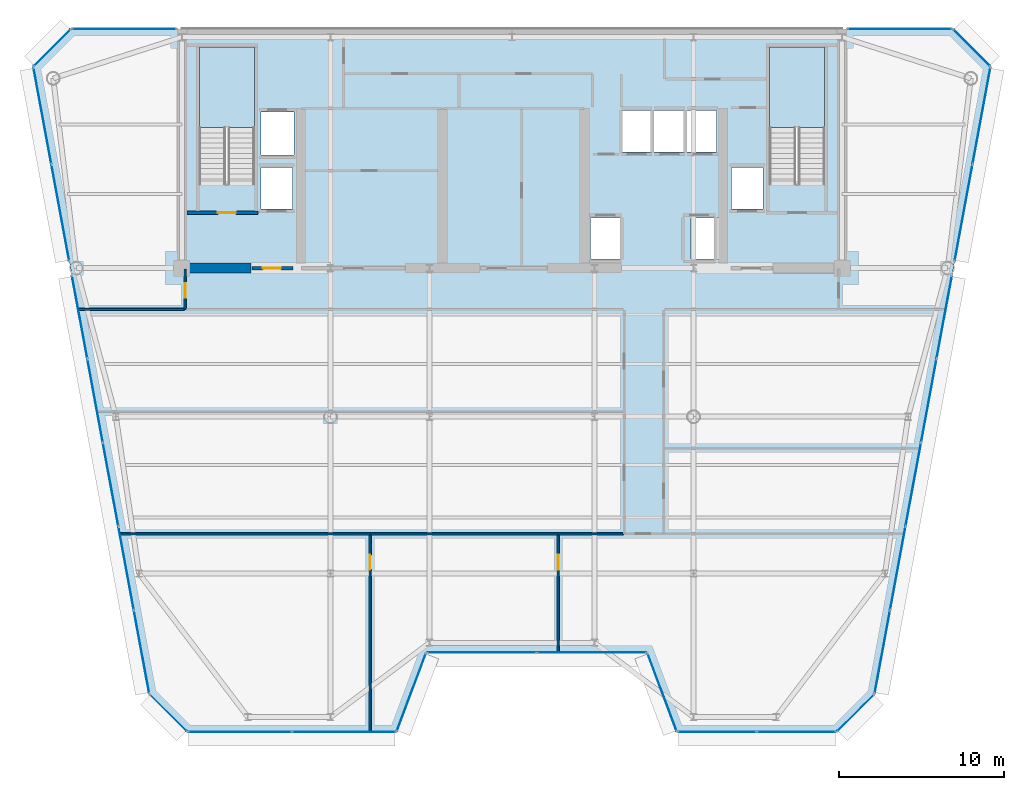
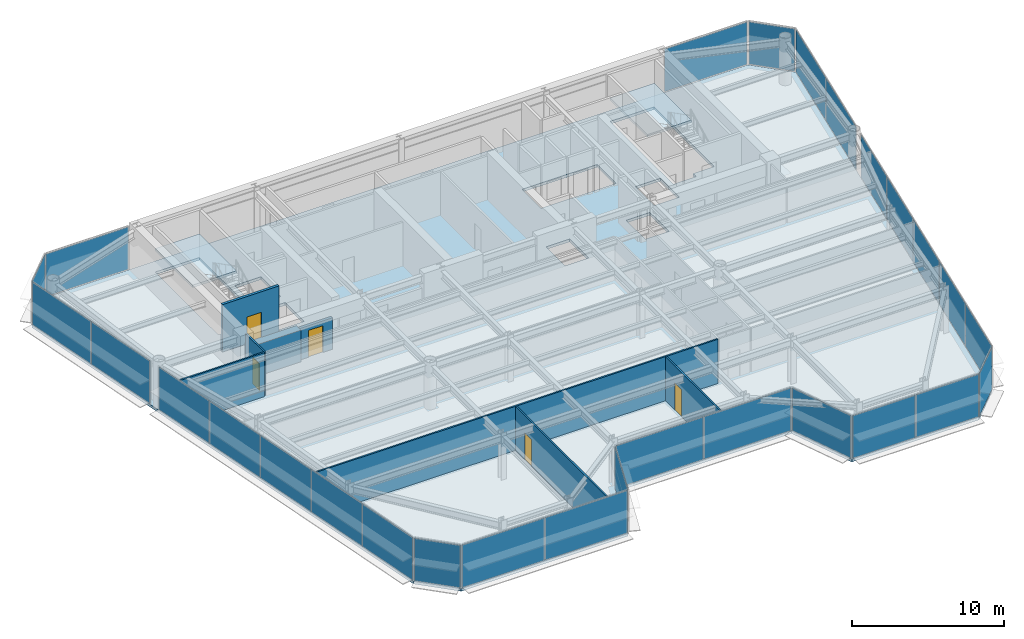
# One storey, part 10 of 17: 28 plates, 8 walls, 5 doors, 3 slabs, 5 openings, 17 elements without a shape of their own.
"""IFC4 building model written with IfcOpenShell, lengths in metres."""

from ifc_helpers import new_model, si_unit, direction, frame, frame_2d, origin, origin_2d, place, context, subcontext, project, spatial, polyline, rectangle, outline, extrude, source, transform, mapped, material, layer, layer_set, type_object, element, fill, aggregate, save


model = new_model("IFC4")

# Units and contexts
model_context = context("Model", 3, precision=1e-05, world=origin(), true_north=direction((0.0, 1.0)))
body_context = subcontext(model_context, "Body", "Model", "MODEL_VIEW")
ifc_project = project(units=[si_unit("LENGTHUNIT", "METRE"), si_unit("AREAUNIT", "SQUARE_METRE"), si_unit("VOLUMEUNIT", "CUBIC_METRE"), si_unit("PLANEANGLEUNIT", "RADIAN"), si_unit("MASSUNIT", "GRAM", prefix="KILO")], contexts=[model_context])

# Site, building, storey
site_placement = place(None, origin())
site = spatial("IfcSite", under=ifc_project, at=site_placement, CompositionType="ELEMENT")
building_placement = place(site_placement, origin())
building = spatial("IfcBuilding", under=site, at=building_placement, Name="Vaeldorn Concourse Tower", CompositionType="ELEMENT")
storey_placement = place(building_placement, frame((0.0, 0.0, 214.60009765625)))
storey = spatial("IfcBuildingStorey", under=building, at=storey_placement, Name="L55", CompositionType="ELEMENT", Elevation=214.60009765625)

# Stair, slab
ifc_material_1 = material(Name="Precast concrete C40/50", Category="concrete")
stair_type = type_object("IfcStairType", Name="STR-DOG-24x158", PredefinedType="HALF_TURN_STAIR", material=ifc_material_1)
stair_1_placement = place(storey_placement, origin())
stair_1 = element("IfcStair", 1, at=stair_1_placement, inside=storey, type_object=stair_type, Name="L55 West Core Exit Stair ST-1", PredefinedType="HALF_TURN_STAIR")
ifc_material_2 = material(Name="Concrete C40/50", Category="concrete")
ifc_layer_1 = layer(ifc_material_2, 0.199951171875)
ifc_layer_set_1 = layer_set([ifc_layer_1], Name="Concrete C40/50")
slab_type_1 = type_object("IfcSlabType", Name="SL-STAIR-LANDING", PredefinedType="LANDING", material=ifc_layer_set_1)
slab_1_placement = place(storey_placement, frame((0.0, 0.0, 1.699951171875)))
slab_1 = element("IfcSlab", 2, at=slab_1_placement, type_object=slab_type_1, Name="ST-1 landing 1", PredefinedType="LANDING", context=body_context, shape_type="SweptSolid", body=[
    extrude(outline(polyline([(18.39990234375, 45.010009765625), (18.39990234375, 49.89990234375), (15.050048828125, 49.89990234375), (15.050048828125, 45.010009765625), (18.39990234375, 45.010009765625)])), origin(), (0.0, 0.0, 1.0), 0.199951171875),
])
aggregate(stair_1, [slab_1])

stair_2_placement = place(storey_placement, origin())
stair_2 = element("IfcStair", 3, at=stair_2_placement, inside=storey, type_object=stair_type, Name="L55 East Core Exit Stair ST-2", PredefinedType="HALF_TURN_STAIR")
slab_2_placement = place(storey_placement, frame((0.0, 0.0, 1.699951171875)))
slab_2 = element("IfcSlab", 4, at=slab_2_placement, type_object=slab_type_1, Name="ST-2 landing 1", PredefinedType="LANDING", context=body_context, shape_type="SweptSolid", body=[
    extrude(outline(polyline([(52.949951171875, 45.010009765625), (52.949951171875, 49.89990234375), (49.60009765625, 49.89990234375), (49.60009765625, 45.010009765625), (52.949951171875, 45.010009765625)])), origin(), (0.0, 0.0, 1.0), 0.199951171875),
])
aggregate(stair_2, [slab_2])

# Slab
ifc_layer_2 = layer(ifc_material_2, 0.219970703125)
ifc_layer_set_2 = layer_set([ifc_layer_2], Name="Concrete C40/50")
slab_type_2 = type_object("IfcSlabType", Name="SL-TYP-220", PredefinedType="FLOOR", material=ifc_layer_set_2)
slab_3_placement = place(storey_placement, frame((0.0, 0.0, -0.22021484375)))
element("IfcSlab", 5, at=slab_3_placement, inside=storey, type_object=slab_type_2, Name="Structural Floor Slab L55", PredefinedType="FLOOR", context=body_context, shape_type="SweptSolid", body=[
    extrude(outline(polyline([(14.3291015625, 8.39990234375), (27.0, 8.39990234375), (28.800048828125, 13.199951171875), (42.199951171875, 13.199951171875), (44.0, 8.39990234375), (53.6708984375, 8.39990234375), (55.970947265625, 10.699951171875), (63.0, 48.699951171875), (60.699951171875, 51.0), (7.300048828125, 51.0), (5.0, 48.699951171875), (12.029052734375, 10.699951171875), (14.3291015625, 8.39990234375)]), holes=[polyline([(18.39990234375, 42.0), (18.39990234375, 49.89990234375), (15.050048828125, 49.89990234375), (15.050048828125, 41.60009765625), (16.800048828125, 41.60009765625), (16.800048828125, 42.0), (18.39990234375, 42.0)]), polyline([(52.949951171875, 42.0), (52.949951171875, 49.89990234375), (49.60009765625, 49.89990234375), (49.60009765625, 41.60009765625), (51.35009765625, 41.60009765625), (51.35009765625, 42.0), (52.949951171875, 42.0)]), polyline([(38.75, 37.050048828125), (40.550048828125, 37.050048828125), (40.550048828125, 39.550048828125), (38.75, 39.550048828125), (38.75, 37.050048828125)]), polyline([(44.85009765625, 37.050048828125), (46.64990234375, 37.050048828125), (46.64990234375, 39.550048828125), (44.85009765625, 39.550048828125), (44.85009765625, 37.050048828125)]), polyline([(40.699951171875, 43.550048828125), (46.39990234375, 43.550048828125), (46.39990234375, 46.050048828125), (40.699951171875, 46.050048828125), (40.699951171875, 43.550048828125)]), polyline([(18.800048828125, 43.35009765625), (20.800048828125, 43.35009765625), (20.800048828125, 45.949951171875), (18.800048828125, 45.949951171875), (18.800048828125, 43.35009765625)]), polyline([(18.800048828125, 40.10009765625), (20.699951171875, 40.10009765625), (20.699951171875, 42.60009765625), (18.800048828125, 42.60009765625), (18.800048828125, 40.10009765625)]), polyline([(47.300048828125, 40.10009765625), (49.199951171875, 40.10009765625), (49.199951171875, 42.60009765625), (47.300048828125, 42.60009765625), (47.300048828125, 40.10009765625)])]), origin(), (0.0, 0.0, 1.0), 0.22021484375),
])

# Curtain wall, plates
ifc_material_3 = material(Name="Anodised Bronze Aluminium", Category="aluminium")
ifc_layer_3 = layer(ifc_material_3, 0.18994140625)
ifc_layer_set_3 = layer_set([ifc_layer_3], Name="Anodised Bronze Aluminium")
curtain_wall_type = type_object("IfcCurtainWallType", Name="CW-SYS-03", PredefinedType="NOTDEFINED", material=ifc_layer_set_3)
curtain_wall_1_placement = place(storey_placement, origin())
curtain_wall_1 = element("IfcCurtainWall", 6, at=curtain_wall_1_placement, inside=storey, type_object=curtain_wall_type, Name="Unitised Curtain Wall CW-L55-E01-1", PredefinedType="NOTDEFINED")
ifc_material_4 = material(Name="Bronze Tinted Low-E Insulated Glass", Category="glass")
ifc_layer_4 = layer(ifc_material_4, 0.031982421875)
ifc_layer_set_4 = layer_set([ifc_layer_4], Name="Bronze Tinted Low-E Insulated Glass")
plate_type = type_object("IfcPlateType", Name="CWP-VISION-32", PredefinedType="CURTAIN_PANEL", material=ifc_layer_set_4)
shared_shape_1 = source(origin(), body_context, "Body", "SweptSolid", [
    extrude(rectangle(XDim=6.238037109375, YDim=0.031982421875, at=origin_2d()), origin(), (0.0, 0.0, 1.0), 3.409912109375),
])
plate_1_placement = place(storey_placement, frame((17.512939453125, 8.39990234375, 0.06494140625), z_axis=(0.0, 0.0, 1.0), x_axis=(1.0, 0.0, 0.0)))
plate_1 = element("IfcPlate", 7, at=plate_1_placement, type_object=plate_type, Name="CW-03 panel 1.1", PredefinedType="CURTAIN_PANEL", context=body_context, shape_type="MappedRepresentation", body=[
    mapped(shared_shape_1, transform((0.0, 0.0, 0.0), scale=1.0)),
])
plate_2_placement = place(storey_placement, frame((23.81591796875, 8.39990234375, 0.06494140625), z_axis=(0.0, 0.0, 1.0), x_axis=(1.0, 0.0, 0.0)))
plate_2 = element("IfcPlate", 8, at=plate_2_placement, type_object=plate_type, Name="CW-03 panel 2.1", PredefinedType="CURTAIN_PANEL", context=body_context, shape_type="MappedRepresentation", body=[
    mapped(shared_shape_1, transform((0.0, 0.0, 0.0), scale=1.0)),
])
aggregate(curtain_wall_1, [plate_1, plate_2])

# Curtain wall, plate
curtain_wall_2_placement = place(storey_placement, origin())
curtain_wall_2 = element("IfcCurtainWall", 9, at=curtain_wall_2_placement, inside=storey, type_object=curtain_wall_type, Name="Unitised Curtain Wall CW-L55-E02-1", PredefinedType="NOTDEFINED")
shared_shape_2 = source(origin(), body_context, "Body", "SweptSolid", [
    extrude(rectangle(XDim=4.996337890625, YDim=0.031982421875, at=origin_2d()), origin(), (0.0, 0.0, 1.0), 3.409912109375),
])
plate_3_placement = place(storey_placement, frame((27.89990234375, 10.800048828125, 0.06494140625), z_axis=(0.0, 0.0, 1.0), x_axis=(0.351123441595, 0.936329177566, 0.0)))
plate_3 = element("IfcPlate", 10, at=plate_3_placement, type_object=plate_type, Name="CW-03 panel 1.1", PredefinedType="CURTAIN_PANEL", context=body_context, shape_type="MappedRepresentation", body=[
    mapped(shared_shape_2, transform((0.0, 0.0, 0.0), scale=1.0)),
])
aggregate(curtain_wall_2, [plate_3])

curtain_wall_3_placement = place(storey_placement, origin())
curtain_wall_3 = element("IfcCurtainWall", 11, at=curtain_wall_3_placement, inside=storey, type_object=curtain_wall_type, Name="Unitised Curtain Wall CW-L55-E04-1", PredefinedType="NOTDEFINED")
plate_4_placement = place(storey_placement, frame((43.10009765625, 10.800048828125, 0.06494140625), z_axis=(0.0, 0.0, 1.0), x_axis=(0.351123441595, -0.936329177566, 0.0)))
plate_4 = element("IfcPlate", 12, at=plate_4_placement, type_object=plate_type, Name="CW-03 panel 1.1", PredefinedType="CURTAIN_PANEL", context=body_context, shape_type="MappedRepresentation", body=[
    mapped(shared_shape_2, transform((0.0, 0.0, 0.0), scale=1.0)),
])
aggregate(curtain_wall_3, [plate_4])

# Curtain wall, plates
curtain_wall_4_placement = place(storey_placement, origin())
curtain_wall_4 = element("IfcCurtainWall", 13, at=curtain_wall_4_placement, inside=storey, type_object=curtain_wall_type, Name="Unitised Curtain Wall CW-L55-E03-1", PredefinedType="NOTDEFINED")
shared_shape_3 = source(origin(), body_context, "Body", "SweptSolid", [
    extrude(rectangle(XDim=6.6025390625, YDim=0.031982421875, at=origin_2d()), origin(), (0.0, 0.0, 1.0), 3.409912109375),
])
plate_5_placement = place(storey_placement, frame((32.166259765625, 13.199951171875, 0.06494140625), z_axis=(0.0, 0.0, 1.0), x_axis=(1.0, 0.0, 0.0)))
plate_5 = element("IfcPlate", 14, at=plate_5_placement, type_object=plate_type, Name="CW-03 panel 1.1", PredefinedType="CURTAIN_PANEL", context=body_context, shape_type="MappedRepresentation", body=[
    mapped(shared_shape_3, transform((0.0, 0.0, 0.0), scale=1.0)),
])
plate_6_placement = place(storey_placement, frame((38.833740234375, 13.199951171875, 0.06494140625), z_axis=(0.0, 0.0, 1.0), x_axis=(1.0, 0.0, 0.0)))
plate_6 = element("IfcPlate", 15, at=plate_6_placement, type_object=plate_type, Name="CW-03 panel 2.1", PredefinedType="CURTAIN_PANEL", context=body_context, shape_type="MappedRepresentation", body=[
    mapped(shared_shape_3, transform((0.0, 0.0, 0.0), scale=1.0)),
])
aggregate(curtain_wall_4, [plate_5, plate_6])

curtain_wall_5_placement = place(storey_placement, origin())
curtain_wall_5 = element("IfcCurtainWall", 16, at=curtain_wall_5_placement, inside=storey, type_object=curtain_wall_type, Name="Unitised Curtain Wall CW-L55-E05-1", PredefinedType="NOTDEFINED")
shared_shape_4 = source(origin(), body_context, "Body", "SweptSolid", [
    extrude(rectangle(XDim=4.738037109375, YDim=0.031982421875, at=origin_2d()), origin(), (0.0, 0.0, 1.0), 3.409912109375),
])
plate_7_placement = place(storey_placement, frame((46.43408203125, 8.39990234375, 0.06494140625), z_axis=(0.0, 0.0, 1.0), x_axis=(1.0, 0.0, 0.0)))
plate_7 = element("IfcPlate", 17, at=plate_7_placement, type_object=plate_type, Name="CW-03 panel 1.1", PredefinedType="CURTAIN_PANEL", context=body_context, shape_type="MappedRepresentation", body=[
    mapped(shared_shape_4, transform((0.0, 0.0, 0.0), scale=1.0)),
])
plate_8_placement = place(storey_placement, frame((51.237060546875, 8.39990234375, 0.06494140625), z_axis=(0.0, 0.0, 1.0), x_axis=(1.0, 0.0, 0.0)))
plate_8 = element("IfcPlate", 18, at=plate_8_placement, type_object=plate_type, Name="CW-03 panel 2.1", PredefinedType="CURTAIN_PANEL", context=body_context, shape_type="MappedRepresentation", body=[
    mapped(shared_shape_4, transform((0.0, 0.0, 0.0), scale=1.0)),
])
aggregate(curtain_wall_5, [plate_7, plate_8])

# Curtain wall, plate
curtain_wall_6_placement = place(storey_placement, origin())
curtain_wall_6 = element("IfcCurtainWall", 19, at=curtain_wall_6_placement, inside=storey, type_object=curtain_wall_type, Name="Unitised Curtain Wall CW-L55-E06-1", PredefinedType="NOTDEFINED")
shared_shape_5 = source(origin(), body_context, "Body", "SweptSolid", [
    extrude(rectangle(XDim=3.122802734375, YDim=0.031982421875, at=origin_2d()), origin(), (0.0, 0.0, 1.0), 3.409912109375),
])
plate_9_placement = place(storey_placement, frame((54.821044921875, 9.550048828125, 0.06494140625), z_axis=(0.0, 0.0, 1.0), x_axis=(0.707106781187, 0.707106781187, 0.0)))
plate_9 = element("IfcPlate", 20, at=plate_9_placement, type_object=plate_type, Name="CW-03 panel 1.1", PredefinedType="CURTAIN_PANEL", context=body_context, shape_type="MappedRepresentation", body=[
    mapped(shared_shape_5, transform((0.0, 0.0, 0.0), scale=1.0)),
])
aggregate(curtain_wall_6, [plate_9])

curtain_wall_7_placement = place(storey_placement, origin())
curtain_wall_7 = element("IfcCurtainWall", 21, at=curtain_wall_7_placement, inside=storey, type_object=curtain_wall_type, Name="Unitised Curtain Wall CW-L55-E08-1", PredefinedType="NOTDEFINED")
plate_10_placement = place(storey_placement, frame((61.85009765625, 49.85009765625, 0.06494140625), z_axis=(0.0, 0.0, 1.0), x_axis=(-0.707106781187, 0.707106781187, 0.0)))
plate_10 = element("IfcPlate", 22, at=plate_10_placement, type_object=plate_type, Name="CW-03 panel 1.1", PredefinedType="CURTAIN_PANEL", context=body_context, shape_type="MappedRepresentation", body=[
    mapped(shared_shape_5, transform((0.0, 0.0, 0.0), scale=1.0)),
])
aggregate(curtain_wall_7, [plate_10])

curtain_wall_8_placement = place(storey_placement, origin())
curtain_wall_8 = element("IfcCurtainWall", 23, at=curtain_wall_8_placement, inside=storey, type_object=curtain_wall_type, Name="Unitised Curtain Wall CW-L55-E10-1", PredefinedType="NOTDEFINED")
plate_11_placement = place(storey_placement, frame((6.14990234375, 49.85009765625, 0.06494140625), z_axis=(0.0, 0.0, 1.0), x_axis=(-0.707106781187, -0.707106781187, 0.0)))
plate_11 = element("IfcPlate", 24, at=plate_11_placement, type_object=plate_type, Name="CW-03 panel 1.1", PredefinedType="CURTAIN_PANEL", context=body_context, shape_type="MappedRepresentation", body=[
    mapped(shared_shape_5, transform((0.0, 0.0, 0.0), scale=1.0)),
])
aggregate(curtain_wall_8, [plate_11])

curtain_wall_9_placement = place(storey_placement, origin())
curtain_wall_9 = element("IfcCurtainWall", 25, at=curtain_wall_9_placement, inside=storey, type_object=curtain_wall_type, Name="Unitised Curtain Wall CW-L55-E12-1", PredefinedType="NOTDEFINED")
plate_12_placement = place(storey_placement, frame((13.178955078125, 9.550048828125, 0.06494140625), z_axis=(0.0, 0.0, 1.0), x_axis=(0.707106781187, -0.707106781187, 0.0)))
plate_12 = element("IfcPlate", 26, at=plate_12_placement, type_object=plate_type, Name="CW-03 panel 1.1", PredefinedType="CURTAIN_PANEL", context=body_context, shape_type="MappedRepresentation", body=[
    mapped(shared_shape_5, transform((0.0, 0.0, 0.0), scale=1.0)),
])
aggregate(curtain_wall_9, [plate_12])

# Curtain wall, plates
curtain_wall_10_placement = place(storey_placement, origin())
curtain_wall_10 = element("IfcCurtainWall", 27, at=curtain_wall_10_placement, inside=storey, type_object=curtain_wall_type, Name="Unitised Curtain Wall CW-L55-E07-1", PredefinedType="NOTDEFINED")
shared_shape_6 = source(origin(), body_context, "Body", "SweptSolid", [
    extrude(rectangle(XDim=5.0654296875, YDim=0.031982421875, at=origin_2d()), origin(), (0.0, 0.0, 1.0), 3.409912109375),
])
plate_13_placement = place(storey_placement, frame((56.443603515625, 13.25439453125, 0.06494140625), z_axis=(0.0, 0.0, 1.0), x_axis=(0.181888946432, 0.983319079021, 0.0)))
plate_13 = element("IfcPlate", 28, at=plate_13_placement, type_object=plate_type, Name="CW-03 panel 1.1", PredefinedType="CURTAIN_PANEL", context=body_context, shape_type="MappedRepresentation", body=[
    mapped(shared_shape_6, transform((0.0, 0.0, 0.0), scale=1.0)),
])
plate_14_placement = place(storey_placement, frame((60.19384765625, 33.529052734375, 0.06494140625), z_axis=(0.0, 0.0, 1.0), x_axis=(0.181888946432, 0.983319079021, 0.0)))
plate_14 = element("IfcPlate", 29, at=plate_14_placement, type_object=plate_type, Name="CW-03 panel 5.1", PredefinedType="CURTAIN_PANEL", context=body_context, shape_type="MappedRepresentation", body=[
    mapped(shared_shape_6, transform((0.0, 0.0, 0.0), scale=1.0)),
])

curtain_wall_11_placement = place(storey_placement, origin())
curtain_wall_11 = element("IfcCurtainWall", 30, at=curtain_wall_11_placement, inside=storey, type_object=curtain_wall_type, Name="Unitised Curtain Wall CW-L55-E11-2", PredefinedType="NOTDEFINED")
plate_15_placement = place(storey_placement, frame((7.80615234375, 33.529052734375, 0.06494140625), z_axis=(0.0, 0.0, 1.0), x_axis=(0.181888946432, -0.983319079021, 0.0)))
plate_15 = element("IfcPlate", 31, at=plate_15_placement, type_object=plate_type, Name="CW-03 panel 1.1", PredefinedType="CURTAIN_PANEL", context=body_context, shape_type="MappedRepresentation", body=[
    mapped(shared_shape_6, transform((0.0, 0.0, 0.0), scale=1.0)),
])
plate_16_placement = place(storey_placement, frame((11.556396484375, 13.25439453125, 0.06494140625), z_axis=(0.0, 0.0, 1.0), x_axis=(0.181888946432, -0.983319079021, 0.0)))
plate_16 = element("IfcPlate", 32, at=plate_16_placement, type_object=plate_type, Name="CW-03 panel 5.1", PredefinedType="CURTAIN_PANEL", context=body_context, shape_type="MappedRepresentation", body=[
    mapped(shared_shape_6, transform((0.0, 0.0, 0.0), scale=1.0)),
])

# Plate
shared_shape_7 = source(origin(), body_context, "Body", "SweptSolid", [
    extrude(rectangle(XDim=5.097900390625, YDim=0.031982421875, at=origin_2d()), origin(), (0.0, 0.0, 1.0), 3.409912109375),
])
plate_17_placement = place(storey_placement, frame((57.379638671875, 18.31494140625, 0.06494140625), z_axis=(0.0, 0.0, 1.0), x_axis=(0.181888946432, 0.983319079021, 0.0)))
plate_17 = element("IfcPlate", 33, at=plate_17_placement, type_object=plate_type, Name="CW-03 panel 2.1", PredefinedType="CURTAIN_PANEL", context=body_context, shape_type="MappedRepresentation", body=[
    mapped(shared_shape_7, transform((0.0, 0.0, 0.0), scale=1.0)),
])

plate_18_placement = place(storey_placement, frame((58.318603515625, 23.391845703125, 0.06494140625), z_axis=(0.0, 0.0, 1.0), x_axis=(0.181888946432, 0.983319079021, 0.0)))
plate_18 = element("IfcPlate", 34, at=plate_18_placement, type_object=plate_type, Name="CW-03 panel 3.1", PredefinedType="CURTAIN_PANEL", context=body_context, shape_type="MappedRepresentation", body=[
    mapped(shared_shape_7, transform((0.0, 0.0, 0.0), scale=1.0)),
])

plate_19_placement = place(storey_placement, frame((59.2578125, 28.468505859375, 0.06494140625), z_axis=(0.0, 0.0, 1.0), x_axis=(0.181888946432, 0.983319079021, 0.0)))
plate_19 = element("IfcPlate", 35, at=plate_19_placement, type_object=plate_type, Name="CW-03 panel 4.1", PredefinedType="CURTAIN_PANEL", context=body_context, shape_type="MappedRepresentation", body=[
    mapped(shared_shape_7, transform((0.0, 0.0, 0.0), scale=1.0)),
])

aggregate(curtain_wall_10, [plate_13, plate_17, plate_18, plate_19, plate_14])

plate_20_placement = place(storey_placement, frame((8.7421875, 28.468505859375, 0.06494140625), z_axis=(0.0, 0.0, 1.0), x_axis=(0.181888946432, -0.983319079021, 0.0)))
plate_20 = element("IfcPlate", 36, at=plate_20_placement, type_object=plate_type, Name="CW-03 panel 2.1", PredefinedType="CURTAIN_PANEL", context=body_context, shape_type="MappedRepresentation", body=[
    mapped(shared_shape_7, transform((0.0, 0.0, 0.0), scale=1.0)),
])

plate_21_placement = place(storey_placement, frame((9.681396484375, 23.391845703125, 0.06494140625), z_axis=(0.0, 0.0, 1.0), x_axis=(0.181888946432, -0.983319079021, 0.0)))
plate_21 = element("IfcPlate", 37, at=plate_21_placement, type_object=plate_type, Name="CW-03 panel 3.1", PredefinedType="CURTAIN_PANEL", context=body_context, shape_type="MappedRepresentation", body=[
    mapped(shared_shape_7, transform((0.0, 0.0, 0.0), scale=1.0)),
])

plate_22_placement = place(storey_placement, frame((10.620361328125, 18.31494140625, 0.06494140625), z_axis=(0.0, 0.0, 1.0), x_axis=(0.181888946432, -0.983319079021, 0.0)))
plate_22 = element("IfcPlate", 38, at=plate_22_placement, type_object=plate_type, Name="CW-03 panel 4.1", PredefinedType="CURTAIN_PANEL", context=body_context, shape_type="MappedRepresentation", body=[
    mapped(shared_shape_7, transform((0.0, 0.0, 0.0), scale=1.0)),
])

aggregate(curtain_wall_11, [plate_15, plate_20, plate_21, plate_22, plate_16])

# Curtain wall, plates
curtain_wall_12_placement = place(storey_placement, origin())
curtain_wall_12 = element("IfcCurtainWall", 39, at=curtain_wall_12_placement, inside=storey, type_object=curtain_wall_type, Name="Unitised Curtain Wall CW-L55-E07-2", PredefinedType="NOTDEFINED")
shared_shape_8 = source(origin(), body_context, "Body", "SweptSolid", [
    extrude(rectangle(XDim=5.90478515625, YDim=0.031982421875, at=origin_2d()), origin(), (0.0, 0.0, 1.0), 3.409912109375),
])
plate_23_placement = place(storey_placement, frame((61.365234375, 39.86279296875, 0.06494140625), z_axis=(0.0, 0.0, 1.0), x_axis=(0.181887908602, 0.983319270992, 0.0)))
plate_23 = element("IfcPlate", 40, at=plate_23_placement, type_object=plate_type, Name="CW-03 panel 1.1", PredefinedType="CURTAIN_PANEL", context=body_context, shape_type="MappedRepresentation", body=[
    mapped(shared_shape_8, transform((0.0, 0.0, 0.0), scale=1.0)),
])
plate_24_placement = place(storey_placement, frame((62.451171875, 45.73291015625, 0.06494140625), z_axis=(0.0, 0.0, 1.0), x_axis=(0.181887908602, 0.983319270992, 0.0)))
plate_24 = element("IfcPlate", 41, at=plate_24_placement, type_object=plate_type, Name="CW-03 panel 2.1", PredefinedType="CURTAIN_PANEL", context=body_context, shape_type="MappedRepresentation", body=[
    mapped(shared_shape_8, transform((0.0, 0.0, 0.0), scale=1.0)),
])
aggregate(curtain_wall_12, [plate_23, plate_24])

curtain_wall_13_placement = place(storey_placement, origin())
curtain_wall_13 = element("IfcCurtainWall", 42, at=curtain_wall_13_placement, inside=storey, type_object=curtain_wall_type, Name="Unitised Curtain Wall CW-L55-E11-1", PredefinedType="NOTDEFINED")
plate_25_placement = place(storey_placement, frame((5.548828125, 45.73291015625, 0.06494140625), z_axis=(0.0, 0.0, 1.0), x_axis=(0.181887908602, -0.983319270992, 0.0)))
plate_25 = element("IfcPlate", 43, at=plate_25_placement, type_object=plate_type, Name="CW-03 panel 1.1", PredefinedType="CURTAIN_PANEL", context=body_context, shape_type="MappedRepresentation", body=[
    mapped(shared_shape_8, transform((0.0, 0.0, 0.0), scale=1.0)),
])
plate_26_placement = place(storey_placement, frame((6.634765625, 39.86279296875, 0.06494140625), z_axis=(0.0, 0.0, 1.0), x_axis=(0.181887908602, -0.983319270992, 0.0)))
plate_26 = element("IfcPlate", 44, at=plate_26_placement, type_object=plate_type, Name="CW-03 panel 2.1", PredefinedType="CURTAIN_PANEL", context=body_context, shape_type="MappedRepresentation", body=[
    mapped(shared_shape_8, transform((0.0, 0.0, 0.0), scale=1.0)),
])
aggregate(curtain_wall_13, [plate_25, plate_26])

# Curtain wall, plate
curtain_wall_14_placement = place(storey_placement, origin())
curtain_wall_14 = element("IfcCurtainWall", 45, at=curtain_wall_14_placement, inside=storey, type_object=curtain_wall_type, Name="Unitised Curtain Wall CW-L55-E09-1", PredefinedType="NOTDEFINED")
shared_shape_9 = source(origin(), body_context, "Body", "SweptSolid", [
    extrude(rectangle(XDim=6.27490234375, YDim=0.031982421875, at=origin_2d()), origin(), (0.0, 0.0, 1.0), 3.409912109375),
])
plate_27_placement = place(storey_placement, frame((57.49755859375, 51.0, 0.06494140625), z_axis=(0.0, 0.0, 1.0), x_axis=(-1.0, 0.0, 0.0)))
plate_27 = element("IfcPlate", 46, at=plate_27_placement, type_object=plate_type, Name="CW-03 panel 1.1", PredefinedType="CURTAIN_PANEL", context=body_context, shape_type="MappedRepresentation", body=[
    mapped(shared_shape_9, transform((0.0, 0.0, 0.0), scale=1.0)),
])
aggregate(curtain_wall_14, [plate_27])

curtain_wall_15_placement = place(storey_placement, origin())
curtain_wall_15 = element("IfcCurtainWall", 47, at=curtain_wall_15_placement, inside=storey, type_object=curtain_wall_type, Name="Unitised Curtain Wall CW-L55-E09-2", PredefinedType="NOTDEFINED")
plate_28_placement = place(storey_placement, frame((10.50244140625, 51.0, 0.06494140625), z_axis=(0.0, 0.0, 1.0), x_axis=(-1.0, 0.0, 0.0)))
plate_28 = element("IfcPlate", 48, at=plate_28_placement, type_object=plate_type, Name="CW-03 panel 1.1", PredefinedType="CURTAIN_PANEL", context=body_context, shape_type="MappedRepresentation", body=[
    mapped(shared_shape_9, transform((0.0, 0.0, 0.0), scale=1.0)),
])
aggregate(curtain_wall_15, [plate_28])

# Wall
ifc_material_5 = material(Name="Concrete C50/60", Category="concrete")
ifc_layer_5 = layer(ifc_material_5, 0.60009765625)
ifc_layer_set_5 = layer_set([ifc_layer_5], Name="Concrete C50/60")
wall_type_1 = type_object("IfcWallType", Name="WL-CORE-600", PredefinedType="SHEAR", material=ifc_layer_set_5)
wall_1_placement = place(storey_placement, frame((14.320068359375, 36.5, 0.0), z_axis=(0.0, 0.0, 1.0), x_axis=(1.0, 0.0, 0.0)))
element("IfcWall", 49, at=wall_1_placement, inside=storey, type_object=wall_type_1, Name="Rear Core Shear Wall L55 S1", PredefinedType="SHEAR", context=body_context, shape_type="SweptSolid", body=[
    extrude(rectangle(XDim=3.8798828125, YDim=0.60009765625, at=frame_2d((1.93994140625, 0.0))), origin(), (0.0, 0.0, 1.0), 2.539794921875),
])

# Wall, opening, door
ifc_material_6 = material(Name="Gypsum Board Partition", Category="gypsum")
ifc_layer_6 = layer(ifc_material_6, 0.1201171875)
ifc_layer_set_6 = layer_set([ifc_layer_6], Name="Gypsum Board Partition")
wall_type_2 = type_object("IfcWallType", Name="WL-PART-120", PredefinedType="PARTITIONING", material=ifc_layer_set_6)
wall_2_placement = place(storey_placement, frame((14.199951171875, 34.0, 0.0), z_axis=(0.0, 0.0, 1.0), x_axis=(0.0, 1.0, 0.0)))
wall_2 = element("IfcWall", 50, at=wall_2_placement, inside=storey, type_object=wall_type_2, Name="Interior Wall PW-L55-C3W", PredefinedType="PARTITIONING", context=body_context, shape_type="SweptSolid", body=[
    extrude(rectangle(XDim=2.43994140625, YDim=0.1201171875, at=frame_2d((1.219970703125, 0.0))), origin(), (0.0, 0.0, 1.0), 3.539794921875),
])
opening_1_placement = place(wall_2_placement, frame((0.699951171875, 0.0, 0.0)))
opening_1 = element("IfcOpeningElement", 51, at=opening_1_placement, cuts=wall_2, Name="Opening D-03", PredefinedType="OPENING", context=body_context, shape_type="SweptSolid", body=[
    extrude(rectangle(XDim=0.89990234375, YDim=2.14990234375, at=frame_2d((0.449951171875, 1.074951171875))), frame((0.0, 0.070068359375, 0.0), z_axis=(0.0, -1.0, 0.0), x_axis=(1.0, 0.0, 0.0)), (0.0, 0.0, 1.0), 0.14013671875),
])
ifc_material_7 = material(Name="Acoustic Bronze-Framed Glass Door", Category="glass")
door_type_1 = type_object("IfcDoorType", Name="DR-INT-900", OperationType="NOTDEFINED", PredefinedType="DOOR", material=ifc_material_7)
shared_shape_10 = source(origin(), body_context, "Body", "SweptSolid", [
    extrude(rectangle(XDim=0.89990234375, YDim=2.14990234375, at=frame_2d((0.449951171875, 1.074951171875))), frame((0.0, 0.02490234375, 0.0), z_axis=(0.0, -1.0, 0.0), x_axis=(1.0, 0.0, 0.0)), (0.0, 0.0, 1.0), 0.050048828125),
])
door_1_placement = place(opening_1_placement, origin())
door_1 = element("IfcDoor", 52, at=door_1_placement, inside=storey, type_object=door_type_1, Name="Interior Door DR-L55-Z3NW", OperationType="SINGLE_SWING_LEFT", OverallHeight=2.14990234375, OverallWidth=0.89990234375, PredefinedType="DOOR", context=body_context, shape_type="MappedRepresentation", body=[
    mapped(shared_shape_10, transform((0.0, 0.0, 0.0), scale=1.0)),
])
fill(opening_1, door_1)

# Walls
wall_3_placement = place(storey_placement, frame((7.759033203125, 34.0, 0.0), z_axis=(0.0, 0.0, 1.0), x_axis=(1.0, 0.0, 0.0)))
element("IfcWall", 53, at=wall_3_placement, inside=storey, type_object=wall_type_2, Name="Interior Wall PW-L55-Z3NWB", PredefinedType="PARTITIONING", context=body_context, shape_type="SweptSolid", body=[
    extrude(rectangle(XDim=6.380859375, YDim=0.1201171875, at=frame_2d((3.1904296875, 0.0))), origin(), (0.0, 0.0, 1.0), 3.539794921875),
])
wall_4_placement = place(storey_placement, frame((10.27490234375, 20.39990234375, 0.0), z_axis=(0.0, 0.0, 1.0), x_axis=(1.0, 0.0, 0.0)))
element("IfcWall", 54, at=wall_4_placement, inside=storey, type_object=wall_type_2, Name="Interior Wall PW-L55-Z3SWL", PredefinedType="PARTITIONING", context=body_context, shape_type="SweptSolid", body=[
    extrude(rectangle(XDim=30.465087890625, YDim=0.1201171875, at=frame_2d((15.232421875, 0.0))), origin(), (0.0, 0.0, 1.0), 3.539794921875),
])

# Wall, opening, door
wall_5_placement = place(storey_placement, frame((25.39990234375, 8.43994140625, 0.0), z_axis=(0.0, 0.0, 1.0), x_axis=(0.0, 1.0, 0.0)))
wall_5 = element("IfcWall", 55, at=wall_5_placement, inside=storey, type_object=wall_type_2, Name="Interior Wall PW-L55-Z3SX1", PredefinedType="PARTITIONING", context=body_context, shape_type="SweptSolid", body=[
    extrude(rectangle(XDim=11.900146484375, YDim=0.1201171875, at=frame_2d((5.9501953125, 0.0))), origin(), (0.0, 0.0, 1.0), 3.539794921875),
])
opening_2_placement = place(wall_5_placement, frame((9.800048828125, 0.0, 0.0)))
opening_2 = element("IfcOpeningElement", 56, at=opening_2_placement, cuts=wall_5, Name="Opening D-03", PredefinedType="OPENING", context=body_context, shape_type="SweptSolid", body=[
    extrude(rectangle(XDim=0.89990234375, YDim=2.14990234375, at=frame_2d((0.449951171875, 1.074951171875))), frame((0.0, 0.070068359375, 0.0), z_axis=(0.0, -1.0, 0.0), x_axis=(1.0, 0.0, 0.0)), (0.0, 0.0, 1.0), 0.14013671875),
])
door_2_placement = place(opening_2_placement, origin())
door_2 = element("IfcDoor", 57, at=door_2_placement, inside=storey, type_object=door_type_1, Name="Interior Door DR-L55-Z3SX1", OperationType="SINGLE_SWING_RIGHT", OverallHeight=2.14990234375, OverallWidth=0.89990234375, PredefinedType="DOOR", context=body_context, shape_type="MappedRepresentation", body=[
    mapped(shared_shape_10, transform((0.0, 0.0, 0.0), scale=1.0)),
])
fill(opening_2, door_2)

wall_6_placement = place(storey_placement, frame((36.800048828125, 13.239990234375, 0.0), z_axis=(0.0, 0.0, 1.0), x_axis=(0.0, 1.0, 0.0)))
wall_6 = element("IfcWall", 58, at=wall_6_placement, inside=storey, type_object=wall_type_2, Name="Interior Wall PW-L55-Z3SX2", PredefinedType="PARTITIONING", context=body_context, shape_type="SweptSolid", body=[
    extrude(rectangle(XDim=7.10009765625, YDim=0.1201171875, at=frame_2d((3.550048828125, 0.0))), origin(), (0.0, 0.0, 1.0), 3.539794921875),
])
opening_3_placement = place(wall_6_placement, frame((5.0, 0.0, 0.0)))
opening_3 = element("IfcOpeningElement", 59, at=opening_3_placement, cuts=wall_6, Name="Opening D-03", PredefinedType="OPENING", context=body_context, shape_type="SweptSolid", body=[
    extrude(rectangle(XDim=0.89990234375, YDim=2.14990234375, at=frame_2d((0.449951171875, 1.074951171875))), frame((0.0, 0.070068359375, 0.0), z_axis=(0.0, -1.0, 0.0), x_axis=(1.0, 0.0, 0.0)), (0.0, 0.0, 1.0), 0.14013671875),
])
door_3_placement = place(opening_3_placement, origin())
door_3 = element("IfcDoor", 60, at=door_3_placement, inside=storey, type_object=door_type_1, Name="Interior Door DR-L55-Z3SX2", OperationType="SINGLE_SWING_LEFT", OverallHeight=2.14990234375, OverallWidth=0.89990234375, PredefinedType="DOOR", context=body_context, shape_type="MappedRepresentation", body=[
    mapped(shared_shape_10, transform((0.0, 0.0, 0.0), scale=1.0)),
])
fill(opening_3, door_3)

ifc_layer_7 = layer(ifc_material_5, 0.199951171875)
ifc_layer_set_7 = layer_set([ifc_layer_7], Name="Concrete C50/60")
wall_type_3 = type_object("IfcWallType", Name="WL-SHAFT-200", PredefinedType="SOLIDWALL", material=ifc_layer_set_7)
wall_7_placement = place(storey_placement, frame((14.300048828125, 39.85009765625, 0.0), z_axis=(0.0, 0.0, 1.0), x_axis=(1.0, 0.0, 0.0)))
wall_7 = element("IfcWall", 61, at=wall_7_placement, inside=storey, type_object=wall_type_3, Name="Stair Shaft Wall CW-L55-ST-1-S", PredefinedType="SOLIDWALL", context=body_context, shape_type="SweptSolid", body=[
    extrude(rectangle(XDim=4.300048828125, YDim=0.199951171875, at=frame_2d((2.14990234375, 0.0))), origin(), (0.0, 0.0, 1.0), 3.7998046875),
])
opening_4_placement = place(wall_7_placement, frame((1.875, 0.0, 0.0)))
opening_4 = element("IfcOpeningElement", 62, at=opening_4_placement, cuts=wall_7, Name="Opening D-01", PredefinedType="OPENING", context=body_context, shape_type="SweptSolid", body=[
    extrude(rectangle(XDim=1.10009765625, YDim=2.14990234375, at=frame_2d((0.550048828125, 1.074951171875))), frame((0.0, 0.10986328125, 0.0), z_axis=(0.0, -1.0, 0.0), x_axis=(1.0, 0.0, 0.0)), (0.0, 0.0, 1.0), 0.219970703125),
])
ifc_material_8 = material(Name="Fire-Rated Timber and Steel Leaf", Category="steel")
door_type_2 = type_object("IfcDoorType", Name="DR-FD60-1100", OperationType="NOTDEFINED", PredefinedType="DOOR", material=ifc_material_8)
shared_shape_11 = source(origin(), body_context, "Body", "SweptSolid", [
    extrude(rectangle(XDim=1.10009765625, YDim=2.14990234375, at=frame_2d((0.550048828125, 1.074951171875))), frame((0.0, 0.02490234375, 0.0), z_axis=(0.0, -1.0, 0.0), x_axis=(1.0, 0.0, 0.0)), (0.0, 0.0, 1.0), 0.050048828125),
])
door_4_placement = place(opening_4_placement, origin())
door_4 = element("IfcDoor", 63, at=door_4_placement, inside=storey, type_object=door_type_2, Name="Interior Door DR-L55-ST-1", OperationType="SINGLE_SWING_LEFT", OverallHeight=2.14990234375, OverallWidth=1.10009765625, PredefinedType="DOOR", context=body_context, shape_type="MappedRepresentation", body=[
    mapped(shared_shape_11, transform((0.0, 0.0, 0.0), scale=1.0)),
])
fill(opening_4, door_4)

wall_8_placement = place(storey_placement, frame((18.25, 36.5, 0.0), z_axis=(0.0, 0.0, 1.0), x_axis=(1.0, 0.0, 0.0)))
wall_8 = element("IfcWall", 64, at=wall_8_placement, inside=storey, type_object=wall_type_3, Name="Interior Wall CW-L55-FF1S", PredefinedType="SOLIDWALL", context=body_context, shape_type="SweptSolid", body=[
    extrude(rectangle(XDim=2.469970703125, YDim=0.199951171875, at=frame_2d((1.23486328125, 0.0))), origin(), (0.0, 0.0, 1.0), 2.52978515625),
])
opening_5_placement = place(wall_8_placement, frame((0.64990234375, 0.0, 0.0)))
opening_5 = element("IfcOpeningElement", 65, at=opening_5_placement, cuts=wall_8, Name="Opening D-01", PredefinedType="OPENING", context=body_context, shape_type="SweptSolid", body=[
    extrude(rectangle(XDim=1.10009765625, YDim=2.14990234375, at=frame_2d((0.550048828125, 1.074951171875))), frame((0.0, 0.10986328125, 0.0), z_axis=(0.0, -1.0, 0.0), x_axis=(1.0, 0.0, 0.0)), (0.0, 0.0, 1.0), 0.219970703125),
])
door_5_placement = place(opening_5_placement, origin())
door_5 = element("IfcDoor", 66, at=door_5_placement, inside=storey, type_object=door_type_2, Name="Interior Door DR-L55-FF1E", OperationType="SINGLE_SWING_RIGHT", OverallHeight=2.14990234375, OverallWidth=1.10009765625, PredefinedType="DOOR", context=body_context, shape_type="MappedRepresentation", body=[
    mapped(shared_shape_11, transform((0.0, 0.0, 0.0), scale=1.0)),
])
fill(opening_5, door_5)

save(model, "model.ifc")
